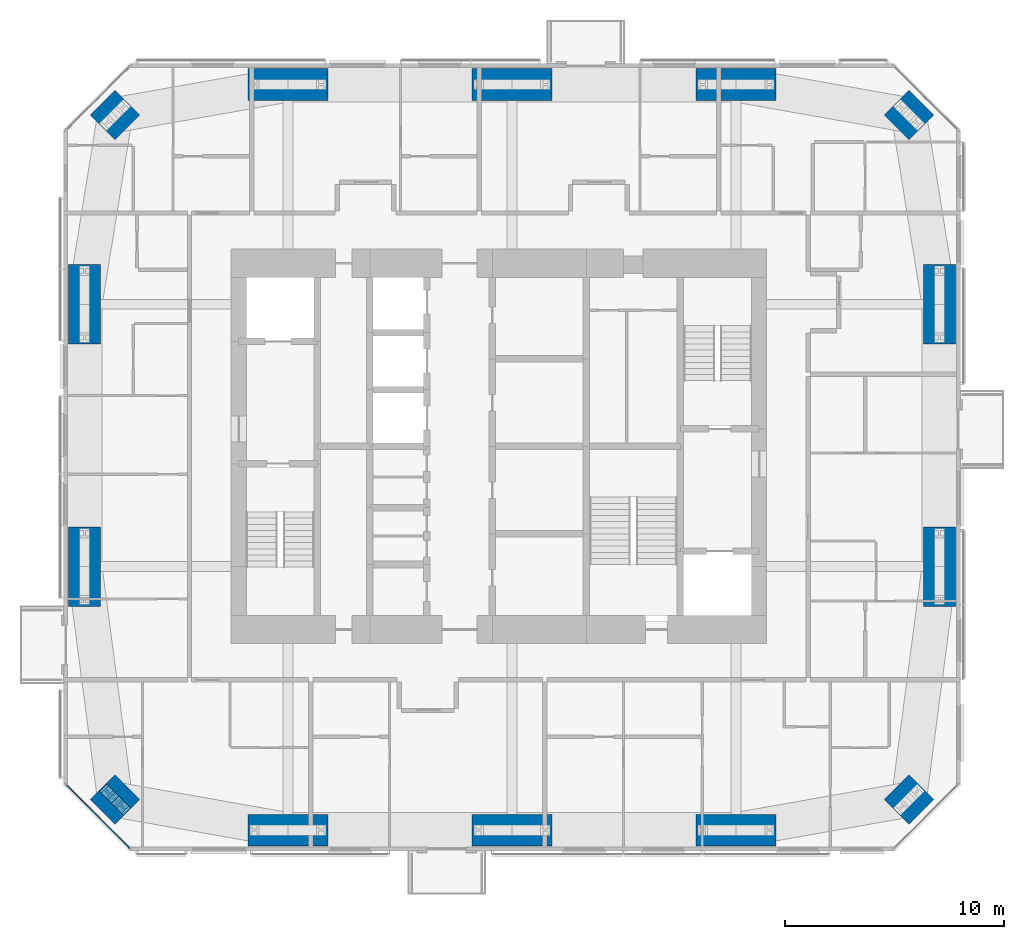
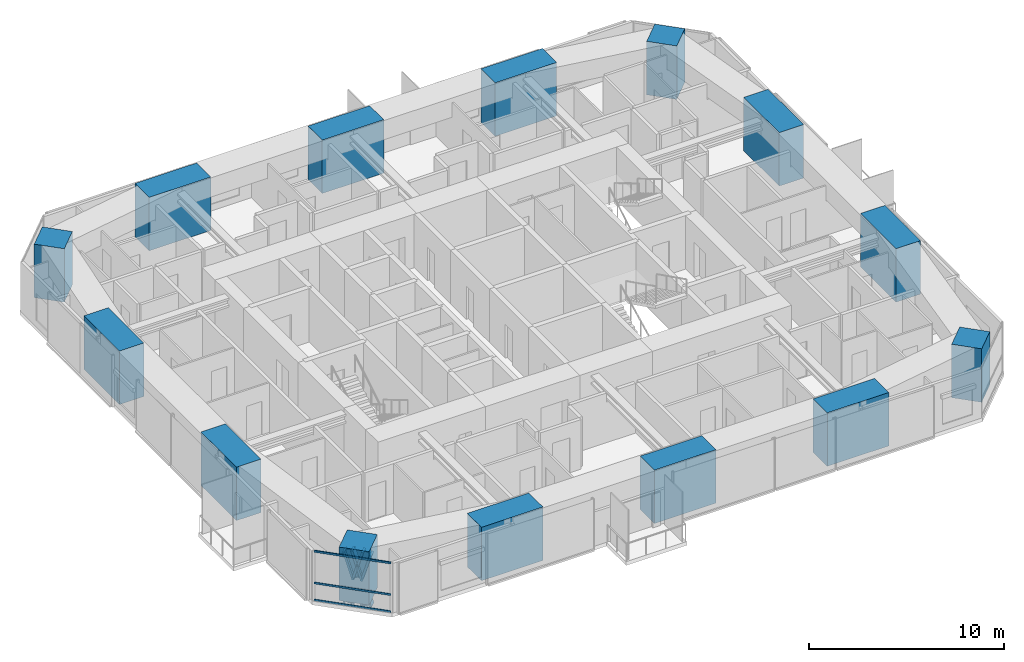
# One storey, part 1 of 23: 14 columns, 7 members, 1 element without a shape of its own.
"""IFC4 building model written with IfcOpenShell, lengths in metres."""

from ifc_helpers import new_model, si_unit, direction, frame, origin, origin_2d, place, context, subcontext, project, spatial, rectangle, i_section, extrude, material, material_profile, profile_set, type_object, element, aggregate, save


model = new_model("IFC4")

# Units and contexts
model_context = context("Model", 3, precision=1e-05, world=origin(), true_north=direction((0.0, 1.0)))
body_context = subcontext(model_context, "Body", "Model", "MODEL_VIEW")
ifc_project = project(units=[si_unit("LENGTHUNIT", "METRE"), si_unit("AREAUNIT", "SQUARE_METRE"), si_unit("VOLUMEUNIT", "CUBIC_METRE"), si_unit("PLANEANGLEUNIT", "RADIAN"), si_unit("MASSUNIT", "GRAM", prefix="KILO")], contexts=[model_context])

# Site, building, storey
site_placement = place(None, origin())
site = spatial("IfcSite", under=ifc_project, at=site_placement, CompositionType="ELEMENT")
building_placement = place(site_placement, origin())
building = spatial("IfcBuilding", under=site, at=building_placement, Name="Jalousie Tower", CompositionType="ELEMENT")
storey_placement = place(building_placement, frame((0.0, 0.0, 191.199951171875)))
storey = spatial("IfcBuildingStorey", under=building, at=storey_placement, Name="L52", CompositionType="ELEMENT", Elevation=191.199951171875)

# Columns
ifc_material_1 = material(Name="Concrete f'c 120 MPa", Category="concrete")
ifc_material_profile_1 = material_profile(ifc_material_1, rectangle(XDim=1.449951171875, YDim=3.64990234375, at=origin_2d()), Name="RC 1450x3650")
ifc_profile_set_1 = profile_set([ifc_material_profile_1], Name="Concrete f'c 120 MPa")
column_type_1 = type_object("IfcColumnType", Name="RC COLUMN 1450x3650", PredefinedType="COLUMN", material=ifc_profile_set_1)
for number, where, z_axis, x_axis, name in (
    (1, (22.25, 0.949951171875, 0.0), (0.0, 0.0, 1.0), (0.0, 1.0, 0.0), "Column 02 L52"),
    (2, (32.5, 0.949951171875, 0.0), (0.0, 0.0, 1.0), (0.0, 1.0, 0.0), "Column 03 L52"),
    (3, (42.75, 0.949951171875, 0.0), (0.0, 0.0, 1.0), (0.0, 1.0, 0.0), "Column 04 L52"),
    (4, (52.050048828125, 13.0, 0.0), (0.0, 0.0, 1.0), (1.0, 0.0, 0.0), "Column 06 L52"),
    (5, (52.050048828125, 25.0, 0.0), (0.0, 0.0, 1.0), (1.0, 0.0, 0.0), "Column 07 L52"),
    (6, (42.75, 35.050048828125, 0.0), (0.0, 0.0, 1.0), (0.0, 1.0, 0.0), "Column 09 L52"),
    (7, (32.5, 35.050048828125, 0.0), (0.0, 0.0, 1.0), (0.0, 1.0, 0.0), "Column 10 L52"),
    (8, (22.25, 35.050048828125, 0.0), (0.0, 0.0, 1.0), (0.0, 1.0, 0.0), "Column 11 L52"),
    (9, (12.949951171875, 25.0, 0.0), (0.0, 0.0, 1.0), (1.0, 0.0, 0.0), "Column 13 L52"),
    (10, (12.949951171875, 13.0, 0.0), (0.0, 0.0, 1.0), (1.0, 0.0, 0.0), "Column 14 L52"),
):
    element("IfcColumn", number, at=place(storey_placement, frame(where, z_axis=z_axis, x_axis=x_axis)), inside=storey, type_object=column_type_1, Name=name, PredefinedType="COLUMN", context=body_context, shape_type="SweptSolid", body=[
        extrude(rectangle(XDim=1.449951171875, YDim=3.64990234375, at=origin_2d()), origin(), (0.0, 0.0, 1.0), 3.35009765625),
    ])
ifc_material_2 = material(Name="Concrete f'c 120 MPa", Category="concrete")
ifc_material_profile_2 = material_profile(ifc_material_2, rectangle(XDim=1.60009765625, YDim=1.60009765625, at=origin_2d()), Name="RC 1600x1600")
ifc_profile_set_2 = profile_set([ifc_material_profile_2], Name="Concrete f'c 120 MPa")
column_type_2 = type_object("IfcColumnType", Name="RC COLUMN 1600x1600", PredefinedType="COLUMN", material=ifc_profile_set_2)
for number, where, z_axis, x_axis, name in (
    (11, (14.348388671875, 2.348388671875, 0.0), (0.0, 0.0, 1.0), (0.707106781187, 0.707106781187, 0.0), "Column 01 L52"),
    (12, (50.651611328125, 2.348388671875, 0.0), (0.0, 0.0, 1.0), (0.707106781187, 0.707106781187, 0.0), "Column 05 L52"),
    (13, (50.651611328125, 33.651611328125, 0.0), (0.0, 0.0, 1.0), (0.707106781187, 0.707106781187, 0.0), "Column 08 L52"),
    (14, (14.348388671875, 33.651611328125, 0.0), (0.0, 0.0, 1.0), (0.707106781187, 0.707106781187, 0.0), "Column 12 L52"),
):
    element("IfcColumn", number, at=place(storey_placement, frame(where, z_axis=z_axis, x_axis=x_axis)), inside=storey, type_object=column_type_2, Name=name, PredefinedType="COLUMN", context=body_context, shape_type="SweptSolid", body=[
        extrude(rectangle(XDim=1.60009765625, YDim=1.60009765625, at=origin_2d()), origin(), (0.0, 0.0, 1.0), 3.35009765625),
    ])

# Curtain wall, members
ifc_material_3 = material(Name="Aluminium curtain wall", Category="aluminium")
curtain_wall_type = type_object("IfcCurtainWallType", Name="CORNER WINDOW WALL", PredefinedType="USERDEFINED", material=ifc_material_3)
curtain_wall_placement = place(storey_placement, origin())
curtain_wall = element("IfcCurtainWall", 15, at=curtain_wall_placement, inside=storey, type_object=curtain_wall_type, Name="Corner Window Wall L52 8", ObjectType="CORNER WINDOW WALL", PredefinedType="USERDEFINED")
ifc_material_4 = material(Name="Aluminium transom", Category="aluminium")
ifc_material_profile_3 = material_profile(ifc_material_4, rectangle(XDim=0.06005859375, YDim=0.1201171875, at=origin_2d()), Name="TRANSOM 60x120")
ifc_profile_set_3 = profile_set([ifc_material_profile_3], Name="Aluminium transom")
member_type_1 = type_object("IfcMemberType", Name="CORNER WINDOW WALL TRANSOM", PredefinedType="USERDEFINED", material=ifc_profile_set_3)
member_1_placement = place(storey_placement, frame((12.1298828125, 3.0087890625, 0.030029296875), z_axis=(0.707106781187, -0.707106781187, 0.0), x_axis=(0.707106781187, 0.707106781187, 0.0)))
member_1 = element("IfcMember", 16, at=member_1_placement, type_object=member_type_1, Name="CW-C transom 1.1", ObjectType="TRANSOM", PredefinedType="USERDEFINED", context=body_context, shape_type="SweptSolid", body=[
    extrude(rectangle(XDim=0.06005859375, YDim=0.1201171875, at=origin_2d()), origin(), (0.0, 0.0, 1.0), 4.0712890625),
])
member_2_placement = place(storey_placement, frame((12.1298828125, 3.0087890625, 1.10009765625), z_axis=(0.707106781187, -0.707106781187, 0.0), x_axis=(0.707106781187, 0.707106781187, 0.0)))
member_2 = element("IfcMember", 17, at=member_2_placement, type_object=member_type_1, Name="CW-C transom 1.2", ObjectType="TRANSOM", PredefinedType="USERDEFINED", context=body_context, shape_type="SweptSolid", body=[
    extrude(rectangle(XDim=0.06005859375, YDim=0.1201171875, at=origin_2d()), origin(), (0.0, 0.0, 1.0), 4.0712890625),
])
member_3_placement = place(storey_placement, frame((12.1298828125, 3.0087890625, 3.080078125), z_axis=(0.707106781187, -0.707106781187, 0.0), x_axis=(0.707106781187, 0.707106781187, 0.0)))
member_3 = element("IfcMember", 18, at=member_3_placement, type_object=member_type_1, Name="CW-C transom 1.3", ObjectType="TRANSOM", PredefinedType="USERDEFINED", context=body_context, shape_type="SweptSolid", body=[
    extrude(rectangle(XDim=0.06005859375, YDim=0.1201171875, at=origin_2d()), origin(), (0.0, 0.0, 1.0), 4.0712890625),
])
aggregate(curtain_wall, [member_1, member_2, member_3])

# Members
ifc_material_5 = material(Name="Steel ASTM A992 Grade 50", Category="steel")
ifc_material_profile_4 = material_profile(ifc_material_5, i_section(OverallWidth=0.472412109375, OverallDepth=0.5791015625, WebThickness=0.094970703125, FlangeThickness=0.1298828125, at=origin_2d()), Name="W14X808")
ifc_profile_set_4 = profile_set([ifc_material_profile_4], Name="Steel ASTM A992 Grade 50")
member_type_2 = type_object("IfcMemberType", Name="PERIMETER BRACE W14X808", PredefinedType="BRACE", material=ifc_profile_set_4)
member_4_placement = place(storey_placement, frame((13.9951171875, 2.7021484375, -0.599853515625), z_axis=(0.202119792263, -0.202399156177, 0.958218227313), x_axis=(0.707594945859, 0.706618279267, 0.0)))
element("IfcMember", 19, at=member_4_placement, inside=storey, type_object=member_type_2, Name="Perimeter brace 01 L52 part 1", PredefinedType="BRACE", context=body_context, shape_type="SweptSolid", body=[
    extrude(i_section(OverallWidth=0.472412109375, OverallDepth=0.5791015625, WebThickness=0.094970703125, FlangeThickness=0.1298828125, at=origin_2d()), origin(), (0.0, 0.0, 1.0), 1.747802734375),
])
member_5_placement = place(storey_placement, frame((14.348388671875, 2.348388671875, 1.074951171875), z_axis=(0.202372069365, -0.202092742837, 0.958229653493), x_axis=(0.706618279267, 0.707594945859, 0.0)))
element("IfcMember", 20, at=member_5_placement, inside=storey, type_object=member_type_2, Name="Perimeter brace 01 L52 part 2", PredefinedType="BRACE", context=body_context, shape_type="SweptSolid", body=[
    extrude(i_section(OverallWidth=0.472412109375, OverallDepth=0.5791015625, WebThickness=0.094970703125, FlangeThickness=0.1298828125, at=origin_2d()), origin(), (0.0, 0.0, 1.0), 1.748046875),
])
member_6_placement = place(storey_placement, frame((14.7021484375, 1.9951171875, -0.599853515625), z_axis=(-0.202399156177, 0.202119792263, 0.958218227313), x_axis=(-0.706618279267, -0.707594945859, 0.0)))
element("IfcMember", 21, at=member_6_placement, inside=storey, type_object=member_type_2, Name="Perimeter brace 01 L52 part 3", PredefinedType="BRACE", context=body_context, shape_type="SweptSolid", body=[
    extrude(i_section(OverallWidth=0.472412109375, OverallDepth=0.5791015625, WebThickness=0.094970703125, FlangeThickness=0.1298828125, at=origin_2d()), origin(), (0.0, 0.0, 1.0), 1.747802734375),
])
member_7_placement = place(storey_placement, frame((14.348388671875, 2.348388671875, 1.074951171875), z_axis=(-0.202092742837, 0.202372069365, 0.958229653493), x_axis=(-0.707594945859, -0.706618279267, 0.0)))
element("IfcMember", 22, at=member_7_placement, inside=storey, type_object=member_type_2, Name="Perimeter brace 01 L52 part 4", PredefinedType="BRACE", context=body_context, shape_type="SweptSolid", body=[
    extrude(i_section(OverallWidth=0.472412109375, OverallDepth=0.5791015625, WebThickness=0.094970703125, FlangeThickness=0.1298828125, at=origin_2d()), origin(), (0.0, 0.0, 1.0), 1.748046875),
])

save(model, "model.ifc")
